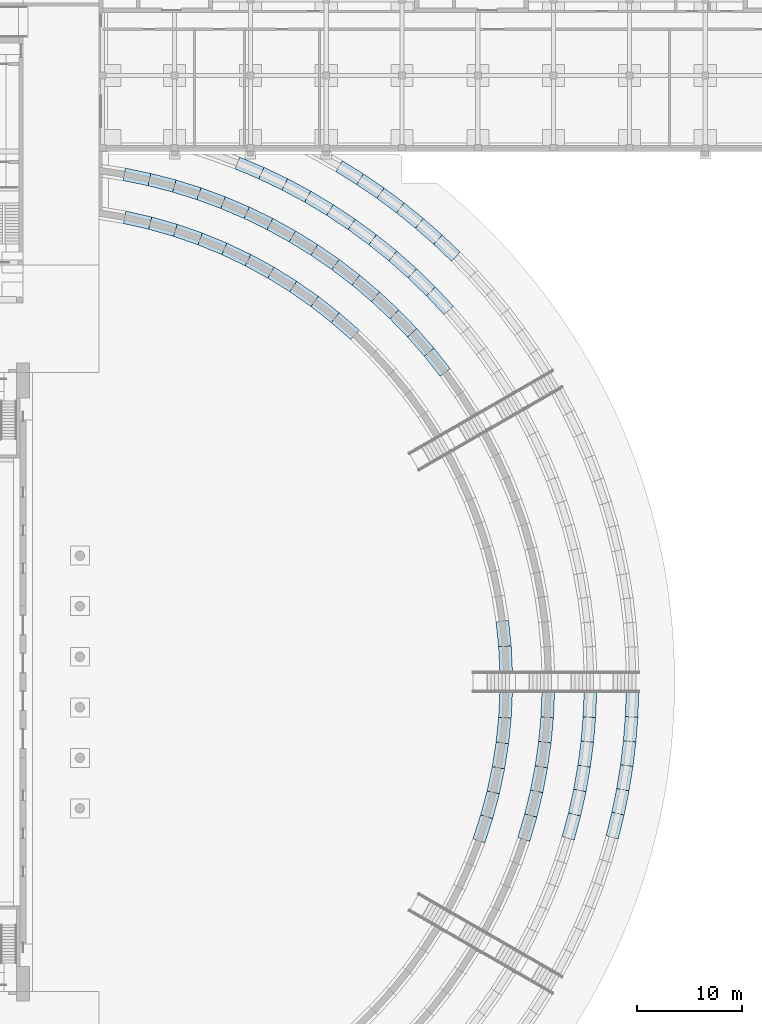
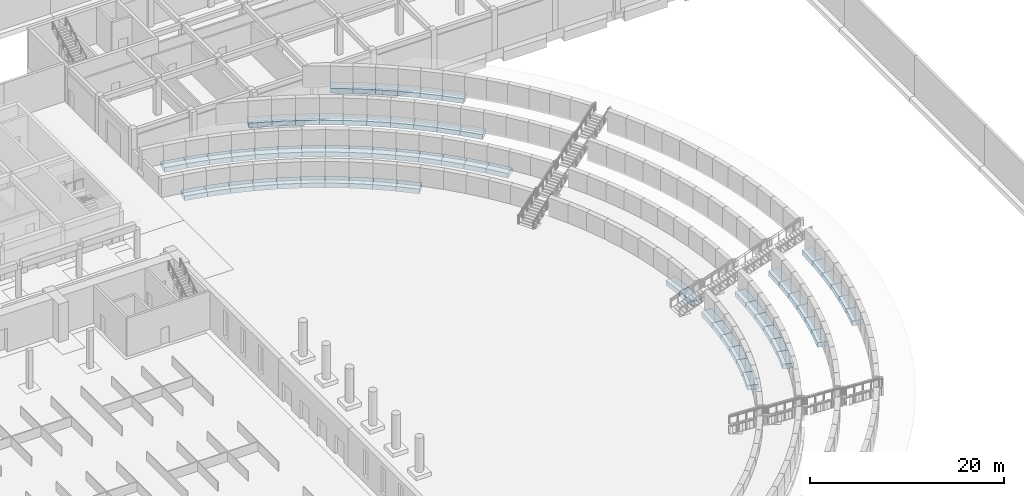
# One storey, part 9 of 73: 67 footings.
"""IFC4 building model written with IfcOpenShell, lengths in metres."""

from ifc_helpers import new_model, si_unit, direction, frame, origin, place, context, subcontext, project, spatial, polyline, outline, extrude, material, type_object, element, save


model = new_model("IFC4")

# Units and contexts
model_context = context("Model", 3, precision=1e-05, world=origin(), true_north=direction((0.0, 1.0)))
body_context = subcontext(model_context, "Body", "Model", "MODEL_VIEW")
ifc_project = project(units=[si_unit("LENGTHUNIT", "METRE"), si_unit("AREAUNIT", "SQUARE_METRE"), si_unit("VOLUMEUNIT", "CUBIC_METRE"), si_unit("PLANEANGLEUNIT", "RADIAN"), si_unit("MASSUNIT", "GRAM", prefix="KILO")], contexts=[model_context])

# Site, building, storey
site_placement = place(None, origin())
site = spatial("IfcSite", under=ifc_project, at=site_placement, CompositionType="ELEMENT")
building_placement = place(site_placement, origin())
building = spatial("IfcBuilding", under=site, at=building_placement, Name="Alderwick Market Hall", CompositionType="ELEMENT")
storey_placement = place(building_placement, origin())
storey = spatial("IfcBuildingStorey", under=building, at=storey_placement, Name="LG", CompositionType="ELEMENT", Elevation=0.0)

# Footings
ifc_material = material(Name="Concrete 4000 psi (f'c 28 MPa)", Category="concrete")
footing_type = type_object("IfcFootingType", Name="S Strip Footing 900", PredefinedType="STRIP_FOOTING", material=ifc_material)
footing_1_placement = place(storey_placement, frame((0.0, 0.0, -0.800048828125)))
element("IfcFooting", 1, at=footing_1_placement, inside=storey, type_object=footing_type, Name="S.ffoot.W1.20", PredefinedType="STRIP_FOOTING", context=body_context, shape_type="SweptSolid", body=[
    extrude(outline(polyline([(195.064208984375, 63.921630859375), (195.81640625, 66.229736328125), (194.666015625, 66.571044921875), (193.93359375, 64.32373046875), (195.064208984375, 63.921630859375)])), origin(), (0.0, 0.0, 1.0), 0.60009765625),
])
footing_2_placement = place(storey_placement, frame((0.0, 0.0, -0.800048828125)))
element("IfcFooting", 2, at=footing_2_placement, inside=storey, type_object=footing_type, Name="S.ffoot.W1.21", PredefinedType="STRIP_FOOTING", context=body_context, shape_type="SweptSolid", body=[
    extrude(outline(polyline([(195.81640625, 66.229736328125), (196.444580078125, 68.574462890625), (195.27783203125, 68.85400390625), (194.666015625, 66.571044921875), (195.81640625, 66.229736328125)])), origin(), (0.0, 0.0, 1.0), 0.60009765625),
])
footing_3_placement = place(storey_placement, frame((0.0, 0.0, -0.800048828125)))
element("IfcFooting", 3, at=footing_3_placement, inside=storey, type_object=footing_type, Name="S.ffoot.W1.22", PredefinedType="STRIP_FOOTING", context=body_context, shape_type="SweptSolid", body=[
    extrude(outline(polyline([(196.444580078125, 68.574462890625), (196.947265625, 70.94921875), (195.76708984375, 71.166259765625), (195.27783203125, 68.85400390625), (196.444580078125, 68.574462890625)])), origin(), (0.0, 0.0, 1.0), 0.60009765625),
])
footing_4_placement = place(storey_placement, frame((0.0, 0.0, -0.800048828125)))
element("IfcFooting", 4, at=footing_4_placement, inside=storey, type_object=footing_type, Name="S.ffoot.W1.23", PredefinedType="STRIP_FOOTING", context=body_context, shape_type="SweptSolid", body=[
    extrude(outline(polyline([(196.947265625, 70.94921875), (197.322998046875, 73.347412109375), (196.1328125, 73.50146484375), (195.76708984375, 71.166259765625), (196.947265625, 70.94921875)])), origin(), (0.0, 0.0, 1.0), 0.60009765625),
])
footing_5_placement = place(storey_placement, frame((0.0, 0.0, -0.800048828125)))
element("IfcFooting", 5, at=footing_5_placement, inside=storey, type_object=footing_type, Name="S.ffoot.W1.24", PredefinedType="STRIP_FOOTING", context=body_context, shape_type="SweptSolid", body=[
    extrude(outline(polyline([(197.322998046875, 73.347412109375), (197.5703125, 75.76220703125), (196.37353515625, 75.8525390625), (196.1328125, 73.50146484375), (197.322998046875, 73.347412109375)])), origin(), (0.0, 0.0, 1.0), 0.60009765625),
])
footing_6_placement = place(storey_placement, frame((0.0, 0.0, -0.800048828125)))
element("IfcFooting", 6, at=footing_6_placement, inside=storey, type_object=footing_type, Name="S.ffoot.W1.25", PredefinedType="STRIP_FOOTING", context=body_context, shape_type="SweptSolid", body=[
    extrude(outline(polyline([(197.5703125, 75.76220703125), (197.688720703125, 78.186767578125), (196.489013671875, 78.21337890625), (196.37353515625, 75.8525390625), (197.5703125, 75.76220703125)])), origin(), (0.0, 0.0, 1.0), 0.60009765625),
])
footing_7_placement = place(storey_placement, frame((0.0, 0.0, -0.800048828125)))
element("IfcFooting", 7, at=footing_7_placement, inside=storey, type_object=footing_type, Name="S.ffoot.W1.26", PredefinedType="STRIP_FOOTING", context=body_context, shape_type="SweptSolid", body=[
    extrude(outline(polyline([(197.688720703125, 80.21337890625), (197.5703125, 82.6376953125), (196.37353515625, 82.54736328125), (196.489013671875, 80.186767578125), (197.688720703125, 80.21337890625)])), origin(), (0.0, 0.0, 1.0), 0.60009765625),
])
footing_8_placement = place(storey_placement, frame((0.0, 0.0, -0.800048828125)))
element("IfcFooting", 8, at=footing_8_placement, inside=storey, type_object=footing_type, Name="S.ffoot.W1.27", PredefinedType="STRIP_FOOTING", context=body_context, shape_type="SweptSolid", body=[
    extrude(outline(polyline([(197.5703125, 82.6376953125), (197.322998046875, 85.052490234375), (196.1328125, 84.898681640625), (196.37353515625, 82.54736328125), (197.5703125, 82.6376953125)])), origin(), (0.0, 0.0, 1.0), 0.60009765625),
])
footing_9_placement = place(storey_placement, frame((0.0, 0.0, -0.800048828125)))
element("IfcFooting", 9, at=footing_9_placement, inside=storey, type_object=footing_type, Name="S.ffoot.W1.40", PredefinedType="STRIP_FOOTING", context=body_context, shape_type="SweptSolid", body=[
    extrude(outline(polyline([(183.134765625, 112.609619140625), (181.2412109375, 114.2734375), (180.474609375, 113.350341796875), (182.318115234375, 111.73046875), (183.134765625, 112.609619140625)])), origin(), (0.0, 0.0, 1.0), 0.60009765625),
])
footing_10_placement = place(storey_placement, frame((0.0, 0.0, -0.800048828125)))
element("IfcFooting", 10, at=footing_10_placement, inside=storey, type_object=footing_type, Name="S.ffoot.W1.41", PredefinedType="STRIP_FOOTING", context=body_context, shape_type="SweptSolid", body=[
    extrude(outline(polyline([(181.2412109375, 114.2734375), (179.2587890625, 115.830078125), (178.544189453125, 114.865966796875), (180.474609375, 113.350341796875), (181.2412109375, 114.2734375)])), origin(), (0.0, 0.0, 1.0), 0.60009765625),
])
footing_11_placement = place(storey_placement, frame((0.0, 0.0, -0.800048828125)))
element("IfcFooting", 11, at=footing_11_placement, inside=storey, type_object=footing_type, Name="S.ffoot.W1.42", PredefinedType="STRIP_FOOTING", context=body_context, shape_type="SweptSolid", body=[
    extrude(outline(polyline([(179.2587890625, 115.830078125), (177.193603515625, 117.274658203125), (176.533203125, 116.272705078125), (178.544189453125, 114.865966796875), (179.2587890625, 115.830078125)])), origin(), (0.0, 0.0, 1.0), 0.60009765625),
])
footing_12_placement = place(storey_placement, frame((0.0, 0.0, -0.800048828125)))
element("IfcFooting", 12, at=footing_12_placement, inside=storey, type_object=footing_type, Name="S.ffoot.W1.43", PredefinedType="STRIP_FOOTING", context=body_context, shape_type="SweptSolid", body=[
    extrude(outline(polyline([(177.193603515625, 117.274658203125), (175.05126953125, 118.60302734375), (174.447509765625, 117.566162109375), (176.533203125, 116.272705078125), (177.193603515625, 117.274658203125)])), origin(), (0.0, 0.0, 1.0), 0.60009765625),
])
footing_13_placement = place(storey_placement, frame((0.0, 0.0, -0.800048828125)))
element("IfcFooting", 13, at=footing_13_placement, inside=storey, type_object=footing_type, Name="S.ffoot.W1.44", PredefinedType="STRIP_FOOTING", context=body_context, shape_type="SweptSolid", body=[
    extrude(outline(polyline([(175.05126953125, 118.60302734375), (172.839111328125, 119.810791015625), (172.29345703125, 118.7421875), (174.447509765625, 117.566162109375), (175.05126953125, 118.60302734375)])), origin(), (0.0, 0.0, 1.0), 0.60009765625),
])
footing_14_placement = place(storey_placement, frame((0.0, 0.0, -0.800048828125)))
element("IfcFooting", 14, at=footing_14_placement, inside=storey, type_object=footing_type, Name="S.ffoot.W1.45", PredefinedType="STRIP_FOOTING", context=body_context, shape_type="SweptSolid", body=[
    extrude(outline(polyline([(172.839111328125, 119.810791015625), (170.5634765625, 120.894775390625), (170.07763671875, 119.797607421875), (172.29345703125, 118.7421875), (172.839111328125, 119.810791015625)])), origin(), (0.0, 0.0, 1.0), 0.60009765625),
])
footing_15_placement = place(storey_placement, frame((0.0, 0.0, -0.800048828125)))
element("IfcFooting", 15, at=footing_15_placement, inside=storey, type_object=footing_type, Name="S.ffoot.W1.46", PredefinedType="STRIP_FOOTING", context=body_context, shape_type="SweptSolid", body=[
    extrude(outline(polyline([(170.5634765625, 120.894775390625), (168.2314453125, 121.851318359375), (167.806884765625, 120.72900390625), (170.07763671875, 119.797607421875), (170.5634765625, 120.894775390625)])), origin(), (0.0, 0.0, 1.0), 0.60009765625),
])
footing_16_placement = place(storey_placement, frame((0.0, 0.0, -0.800048828125)))
element("IfcFooting", 16, at=footing_16_placement, inside=storey, type_object=footing_type, Name="S.ffoot.W1.47", PredefinedType="STRIP_FOOTING", context=body_context, shape_type="SweptSolid", body=[
    extrude(outline(polyline([(168.2314453125, 121.851318359375), (165.85009765625, 122.677490234375), (165.48828125, 121.533203125), (167.806884765625, 120.72900390625), (168.2314453125, 121.851318359375)])), origin(), (0.0, 0.0, 1.0), 0.60009765625),
])
footing_17_placement = place(storey_placement, frame((0.0, 0.0, -0.800048828125)))
element("IfcFooting", 17, at=footing_17_placement, inside=storey, type_object=footing_type, Name="S.ffoot.W1.48", PredefinedType="STRIP_FOOTING", context=body_context, shape_type="SweptSolid", body=[
    extrude(outline(polyline([(165.85009765625, 122.677490234375), (163.427001953125, 123.370849609375), (163.12890625, 122.20849609375), (165.48828125, 121.533203125), (165.85009765625, 122.677490234375)])), origin(), (0.0, 0.0, 1.0), 0.60009765625),
])
footing_18_placement = place(storey_placement, frame((0.0, 0.0, -0.800048828125)))
element("IfcFooting", 18, at=footing_18_placement, inside=storey, type_object=footing_type, Name="S.ffoot.W1.49", PredefinedType="STRIP_FOOTING", context=body_context, shape_type="SweptSolid", body=[
    extrude(outline(polyline([(163.427001953125, 123.370849609375), (160.968994140625, 123.92919921875), (160.735595703125, 122.752197265625), (163.12890625, 122.20849609375), (163.427001953125, 123.370849609375)])), origin(), (0.0, 0.0, 1.0), 0.60009765625),
])
footing_19_placement = place(storey_placement, frame((0.0, 0.0, 0.300048828125)))
element("IfcFooting", 19, at=footing_19_placement, inside=storey, type_object=footing_type, Name="S.ffoot.W2.23", PredefinedType="STRIP_FOOTING", context=body_context, shape_type="SweptSolid", body=[
    extrude(outline(polyline([(199.334716796875, 64.0654296875), (200.010009765625, 66.362548828125), (198.850830078125, 66.673095703125), (198.19189453125, 64.431640625), (199.334716796875, 64.0654296875)])), origin(), (0.0, 0.0, 1.0), 0.599853515625),
])
footing_20_placement = place(storey_placement, frame((0.0, 0.0, 0.300048828125)))
element("IfcFooting", 20, at=footing_20_placement, inside=storey, type_object=footing_type, Name="S.ffoot.W2.24", PredefinedType="STRIP_FOOTING", context=body_context, shape_type="SweptSolid", body=[
    extrude(outline(polyline([(200.010009765625, 66.362548828125), (200.573486328125, 68.689697265625), (199.40087890625, 68.94384765625), (198.850830078125, 66.673095703125), (200.010009765625, 66.362548828125)])), origin(), (0.0, 0.0, 1.0), 0.599853515625),
])
footing_21_placement = place(storey_placement, frame((0.0, 0.0, 0.300048828125)))
element("IfcFooting", 21, at=footing_21_placement, inside=storey, type_object=footing_type, Name="S.ffoot.W2.25", PredefinedType="STRIP_FOOTING", context=body_context, shape_type="SweptSolid", body=[
    extrude(outline(polyline([(200.573486328125, 68.689697265625), (201.0244140625, 71.041259765625), (199.8408203125, 71.238525390625), (199.40087890625, 68.94384765625), (200.573486328125, 68.689697265625)])), origin(), (0.0, 0.0, 1.0), 0.599853515625),
])
footing_22_placement = place(storey_placement, frame((0.0, 0.0, 0.300048828125)))
element("IfcFooting", 22, at=footing_22_placement, inside=storey, type_object=footing_type, Name="S.ffoot.W2.26", PredefinedType="STRIP_FOOTING", context=body_context, shape_type="SweptSolid", body=[
    extrude(outline(polyline([(201.0244140625, 71.041259765625), (201.361083984375, 73.41162109375), (200.169189453125, 73.5517578125), (199.8408203125, 71.238525390625), (201.0244140625, 71.041259765625)])), origin(), (0.0, 0.0, 1.0), 0.599853515625),
])
footing_23_placement = place(storey_placement, frame((0.0, 0.0, 0.300048828125)))
element("IfcFooting", 23, at=footing_23_placement, inside=storey, type_object=footing_type, Name="S.ffoot.W2.27", PredefinedType="STRIP_FOOTING", context=body_context, shape_type="SweptSolid", body=[
    extrude(outline(polyline([(201.361083984375, 73.41162109375), (201.5830078125, 75.7958984375), (200.385986328125, 75.878173828125), (200.169189453125, 73.5517578125), (201.361083984375, 73.41162109375)])), origin(), (0.0, 0.0, 1.0), 0.599853515625),
])
footing_24_placement = place(storey_placement, frame((0.0, 0.0, 0.300048828125)))
element("IfcFooting", 24, at=footing_24_placement, inside=storey, type_object=footing_type, Name="S.ffoot.W2.28", PredefinedType="STRIP_FOOTING", context=body_context, shape_type="SweptSolid", body=[
    extrude(outline(polyline([(201.5830078125, 75.7958984375), (201.689697265625, 78.187744140625), (200.489990234375, 78.212158203125), (200.385986328125, 75.878173828125), (201.5830078125, 75.7958984375)])), origin(), (0.0, 0.0, 1.0), 0.599853515625),
])
footing_25_placement = place(storey_placement, frame((0.0, 0.0, 0.300048828125)))
element("IfcFooting", 25, at=footing_25_placement, inside=storey, type_object=footing_type, Name="S.ffoot.W2.41", PredefinedType="STRIP_FOOTING", context=body_context, shape_type="SweptSolid", body=[
    extrude(outline(polyline([(191.77197265625, 108.970703125), (190.23828125, 110.91162109375), (189.315673828125, 110.14453125), (190.812255859375, 108.25048828125), (191.77197265625, 108.970703125)])), origin(), (0.0, 0.0, 1.0), 0.599853515625),
])
footing_26_placement = place(storey_placement, frame((0.0, 0.0, 0.300048828125)))
element("IfcFooting", 26, at=footing_26_placement, inside=storey, type_object=footing_type, Name="S.ffoot.W2.42", PredefinedType="STRIP_FOOTING", context=body_context, shape_type="SweptSolid", body=[
    extrude(outline(polyline([(190.23828125, 110.91162109375), (188.609619140625, 112.77392578125), (187.726318359375, 111.961669921875), (189.315673828125, 110.14453125), (190.23828125, 110.91162109375)])), origin(), (0.0, 0.0, 1.0), 0.599853515625),
])
footing_27_placement = place(storey_placement, frame((0.0, 0.0, 0.300048828125)))
element("IfcFooting", 27, at=footing_27_placement, inside=storey, type_object=footing_type, Name="S.ffoot.W2.43", PredefinedType="STRIP_FOOTING", context=body_context, shape_type="SweptSolid", body=[
    extrude(outline(polyline([(188.609619140625, 112.77392578125), (186.89013671875, 114.552490234375), (186.048583984375, 113.697265625), (187.726318359375, 111.961669921875), (188.609619140625, 112.77392578125)])), origin(), (0.0, 0.0, 1.0), 0.599853515625),
])
footing_28_placement = place(storey_placement, frame((0.0, 0.0, 0.300048828125)))
element("IfcFooting", 28, at=footing_28_placement, inside=storey, type_object=footing_type, Name="S.ffoot.W2.44", PredefinedType="STRIP_FOOTING", context=body_context, shape_type="SweptSolid", body=[
    extrude(outline(polyline([(186.89013671875, 114.552490234375), (185.084228515625, 116.2431640625), (184.286376953125, 115.346923828125), (186.048583984375, 113.697265625), (186.89013671875, 114.552490234375)])), origin(), (0.0, 0.0, 1.0), 0.599853515625),
])
footing_29_placement = place(storey_placement, frame((0.0, 0.0, 0.300048828125)))
element("IfcFooting", 29, at=footing_29_placement, inside=storey, type_object=footing_type, Name="S.ffoot.W2.45", PredefinedType="STRIP_FOOTING", context=body_context, shape_type="SweptSolid", body=[
    extrude(outline(polyline([(185.084228515625, 116.2431640625), (183.1962890625, 117.841796875), (182.44384765625, 116.90673828125), (184.286376953125, 115.346923828125), (185.084228515625, 116.2431640625)])), origin(), (0.0, 0.0, 1.0), 0.599853515625),
])
footing_30_placement = place(storey_placement, frame((0.0, 0.0, 0.300048828125)))
element("IfcFooting", 30, at=footing_30_placement, inside=storey, type_object=footing_type, Name="S.ffoot.W2.46", PredefinedType="STRIP_FOOTING", context=body_context, shape_type="SweptSolid", body=[
    extrude(outline(polyline([(183.1962890625, 117.841796875), (181.23095703125, 119.343994140625), (180.526123046875, 118.372802734375), (182.44384765625, 116.90673828125), (183.1962890625, 117.841796875)])), origin(), (0.0, 0.0, 1.0), 0.599853515625),
])
footing_31_placement = place(storey_placement, frame((0.0, 0.0, 0.300048828125)))
element("IfcFooting", 31, at=footing_31_placement, inside=storey, type_object=footing_type, Name="S.ffoot.W2.47", PredefinedType="STRIP_FOOTING", context=body_context, shape_type="SweptSolid", body=[
    extrude(outline(polyline([(181.23095703125, 119.343994140625), (179.193115234375, 120.74658203125), (178.53759765625, 119.741455078125), (180.526123046875, 118.372802734375), (181.23095703125, 119.343994140625)])), origin(), (0.0, 0.0, 1.0), 0.599853515625),
])
footing_32_placement = place(storey_placement, frame((0.0, 0.0, 0.300048828125)))
element("IfcFooting", 32, at=footing_32_placement, inside=storey, type_object=footing_type, Name="S.ffoot.W2.48", PredefinedType="STRIP_FOOTING", context=body_context, shape_type="SweptSolid", body=[
    extrude(outline(polyline([(179.193115234375, 120.74658203125), (177.087890625, 122.0458984375), (176.4833984375, 121.00927734375), (178.53759765625, 119.741455078125), (179.193115234375, 120.74658203125)])), origin(), (0.0, 0.0, 1.0), 0.599853515625),
])
footing_33_placement = place(storey_placement, frame((0.0, 0.0, 0.300048828125)))
element("IfcFooting", 33, at=footing_33_placement, inside=storey, type_object=footing_type, Name="S.ffoot.W2.49", PredefinedType="STRIP_FOOTING", context=body_context, shape_type="SweptSolid", body=[
    extrude(outline(polyline([(177.087890625, 122.0458984375), (174.92041015625, 123.238525390625), (174.368408203125, 122.173095703125), (176.4833984375, 121.00927734375), (177.087890625, 122.0458984375)])), origin(), (0.0, 0.0, 1.0), 0.599853515625),
])
footing_34_placement = place(storey_placement, frame((0.0, 0.0, 0.300048828125)))
element("IfcFooting", 34, at=footing_34_placement, inside=storey, type_object=footing_type, Name="S.ffoot.W2.50", PredefinedType="STRIP_FOOTING", context=body_context, shape_type="SweptSolid", body=[
    extrude(outline(polyline([(174.92041015625, 123.238525390625), (172.6962890625, 124.321533203125), (172.197998046875, 123.22998046875), (174.368408203125, 122.173095703125), (174.92041015625, 123.238525390625)])), origin(), (0.0, 0.0, 1.0), 0.599853515625),
])
footing_35_placement = place(storey_placement, frame((0.0, 0.0, 0.300048828125)))
element("IfcFooting", 35, at=footing_35_placement, inside=storey, type_object=footing_type, Name="S.ffoot.W2.51", PredefinedType="STRIP_FOOTING", context=body_context, shape_type="SweptSolid", body=[
    extrude(outline(polyline([(172.6962890625, 124.321533203125), (170.4208984375, 125.29248046875), (169.9775390625, 124.17724609375), (172.197998046875, 123.22998046875), (172.6962890625, 124.321533203125)])), origin(), (0.0, 0.0, 1.0), 0.599853515625),
])
footing_36_placement = place(storey_placement, frame((0.0, 0.0, 0.300048828125)))
element("IfcFooting", 36, at=footing_36_placement, inside=storey, type_object=footing_type, Name="S.ffoot.W2.52", PredefinedType="STRIP_FOOTING", context=body_context, shape_type="SweptSolid", body=[
    extrude(outline(polyline([(170.4208984375, 125.29248046875), (168.099853515625, 126.1484375), (167.712890625, 125.0126953125), (169.9775390625, 124.17724609375), (170.4208984375, 125.29248046875)])), origin(), (0.0, 0.0, 1.0), 0.599853515625),
])
footing_37_placement = place(storey_placement, frame((0.0, 0.0, 0.300048828125)))
element("IfcFooting", 37, at=footing_37_placement, inside=storey, type_object=footing_type, Name="S.ffoot.W2.53", PredefinedType="STRIP_FOOTING", context=body_context, shape_type="SweptSolid", body=[
    extrude(outline(polyline([(168.099853515625, 126.1484375), (165.739013671875, 126.887939453125), (165.4091796875, 125.734130859375), (167.712890625, 125.0126953125), (168.099853515625, 126.1484375)])), origin(), (0.0, 0.0, 1.0), 0.599853515625),
])
footing_38_placement = place(storey_placement, frame((0.0, 0.0, 0.300048828125)))
element("IfcFooting", 38, at=footing_38_placement, inside=storey, type_object=footing_type, Name="S.ffoot.W2.54", PredefinedType="STRIP_FOOTING", context=body_context, shape_type="SweptSolid", body=[
    extrude(outline(polyline([(165.739013671875, 126.887939453125), (163.344482421875, 127.508544921875), (163.072509765625, 126.33984375), (165.4091796875, 125.734130859375), (165.739013671875, 126.887939453125)])), origin(), (0.0, 0.0, 1.0), 0.599853515625),
])
footing_39_placement = place(storey_placement, frame((0.0, 0.0, 0.300048828125)))
element("IfcFooting", 39, at=footing_39_placement, inside=storey, type_object=footing_type, Name="S.ffoot.W2.55", PredefinedType="STRIP_FOOTING", context=body_context, shape_type="SweptSolid", body=[
    extrude(outline(polyline([(163.344482421875, 127.508544921875), (160.921875, 128.00927734375), (160.708251953125, 126.828369140625), (163.072509765625, 126.33984375), (163.344482421875, 127.508544921875)])), origin(), (0.0, 0.0, 1.0), 0.599853515625),
])
footing_40_placement = place(storey_placement, frame((0.0, 0.0, 1.5)))
element("IfcFooting", 40, at=footing_40_placement, inside=storey, type_object=footing_type, Name="S.ffoot.W3.21", PredefinedType="STRIP_FOOTING", context=body_context, shape_type="SweptSolid", body=[
    extrude(outline(polyline([(203.5546875, 64.1875), (204.167236328125, 66.47412109375), (203.001708984375, 66.7587890625), (202.402587890625, 64.5234375), (203.5546875, 64.1875)])), origin(), (0.0, 0.0, 1.0), 0.60009765625),
])
footing_41_placement = place(storey_placement, frame((0.0, 0.0, 1.5)))
element("IfcFooting", 41, at=footing_41_placement, inside=storey, type_object=footing_type, Name="S.ffoot.W3.22", PredefinedType="STRIP_FOOTING", context=body_context, shape_type="SweptSolid", body=[
    extrude(outline(polyline([(204.167236328125, 66.47412109375), (204.678466796875, 68.785400390625), (203.501220703125, 69.0185546875), (203.001708984375, 66.7587890625), (204.167236328125, 66.47412109375)])), origin(), (0.0, 0.0, 1.0), 0.60009765625),
])
footing_42_placement = place(storey_placement, frame((0.0, 0.0, 1.5)))
element("IfcFooting", 42, at=footing_42_placement, inside=storey, type_object=footing_type, Name="S.ffoot.W3.23", PredefinedType="STRIP_FOOTING", context=body_context, shape_type="SweptSolid", body=[
    extrude(outline(polyline([(204.678466796875, 68.785400390625), (205.087158203125, 71.1171875), (203.90087890625, 71.298095703125), (203.501220703125, 69.0185546875), (204.678466796875, 68.785400390625)])), origin(), (0.0, 0.0, 1.0), 0.60009765625),
])
footing_43_placement = place(storey_placement, frame((0.0, 0.0, 1.5)))
element("IfcFooting", 43, at=footing_43_placement, inside=storey, type_object=footing_type, Name="S.ffoot.W3.24", PredefinedType="STRIP_FOOTING", context=body_context, shape_type="SweptSolid", body=[
    extrude(outline(polyline([(205.087158203125, 71.1171875), (205.392333984375, 73.464599609375), (204.19921875, 73.593017578125), (203.90087890625, 71.298095703125), (205.087158203125, 71.1171875)])), origin(), (0.0, 0.0, 1.0), 0.60009765625),
])
footing_44_placement = place(storey_placement, frame((0.0, 0.0, 1.5)))
element("IfcFooting", 44, at=footing_44_placement, inside=storey, type_object=footing_type, Name="S.ffoot.W3.25", PredefinedType="STRIP_FOOTING", context=body_context, shape_type="SweptSolid", body=[
    extrude(outline(polyline([(205.392333984375, 73.464599609375), (205.593505859375, 75.823486328125), (204.39599609375, 75.89892578125), (204.19921875, 73.593017578125), (205.392333984375, 73.464599609375)])), origin(), (0.0, 0.0, 1.0), 0.60009765625),
])
footing_45_placement = place(storey_placement, frame((0.0, 0.0, 1.5)))
element("IfcFooting", 45, at=footing_45_placement, inside=storey, type_object=footing_type, Name="S.ffoot.W3.26", PredefinedType="STRIP_FOOTING", context=body_context, shape_type="SweptSolid", body=[
    extrude(outline(polyline([(205.593505859375, 75.823486328125), (205.6904296875, 78.188720703125), (204.49072265625, 78.211181640625), (204.39599609375, 75.89892578125), (205.593505859375, 75.823486328125)])), origin(), (0.0, 0.0, 1.0), 0.60009765625),
])
footing_46_placement = place(storey_placement, frame((0.0, 0.0, 1.5)))
element("IfcFooting", 46, at=footing_46_placement, inside=storey, type_object=footing_type, Name="S.ffoot.W3.42", PredefinedType="STRIP_FOOTING", context=body_context, shape_type="SweptSolid", body=[
    extrude(outline(polyline([(192.082763671875, 114.89794921875), (190.376708984375, 116.721435546875), (189.519775390625, 115.88134765625), (191.1875, 114.0986328125), (192.082763671875, 114.89794921875)])), origin(), (0.0, 0.0, 1.0), 0.60009765625),
])
footing_47_placement = place(storey_placement, frame((0.0, 0.0, 1.5)))
element("IfcFooting", 47, at=footing_47_placement, inside=storey, type_object=footing_type, Name="S.ffoot.W3.43", PredefinedType="STRIP_FOOTING", context=body_context, shape_type="SweptSolid", body=[
    extrude(outline(polyline([(190.376708984375, 116.721435546875), (188.587646484375, 118.46337890625), (187.770751953125, 117.58447265625), (189.519775390625, 115.88134765625), (190.376708984375, 116.721435546875)])), origin(), (0.0, 0.0, 1.0), 0.60009765625),
])
footing_48_placement = place(storey_placement, frame((0.0, 0.0, 1.5)))
element("IfcFooting", 48, at=footing_48_placement, inside=storey, type_object=footing_type, Name="S.ffoot.W3.44", PredefinedType="STRIP_FOOTING", context=body_context, shape_type="SweptSolid", body=[
    extrude(outline(polyline([(188.587646484375, 118.46337890625), (186.71923828125, 120.120361328125), (185.944091796875, 119.2041015625), (187.770751953125, 117.58447265625), (188.587646484375, 118.46337890625)])), origin(), (0.0, 0.0, 1.0), 0.60009765625),
])
footing_49_placement = place(storey_placement, frame((0.0, 0.0, 1.5)))
element("IfcFooting", 49, at=footing_49_placement, inside=storey, type_object=footing_type, Name="S.ffoot.W3.45", PredefinedType="STRIP_FOOTING", context=body_context, shape_type="SweptSolid", body=[
    extrude(outline(polyline([(186.71923828125, 120.120361328125), (184.775634765625, 121.688232421875), (184.044189453125, 120.737060546875), (185.944091796875, 119.2041015625), (186.71923828125, 120.120361328125)])), origin(), (0.0, 0.0, 1.0), 0.60009765625),
])
footing_50_placement = place(storey_placement, frame((0.0, 0.0, 1.5)))
element("IfcFooting", 50, at=footing_50_placement, inside=storey, type_object=footing_type, Name="S.ffoot.W3.46", PredefinedType="STRIP_FOOTING", context=body_context, shape_type="SweptSolid", body=[
    extrude(outline(polyline([(184.775634765625, 121.688232421875), (182.76123046875, 123.1640625), (182.074951171875, 122.1796875), (184.044189453125, 120.737060546875), (184.775634765625, 121.688232421875)])), origin(), (0.0, 0.0, 1.0), 0.60009765625),
])
footing_51_placement = place(storey_placement, frame((0.0, 0.0, 1.5)))
element("IfcFooting", 51, at=footing_51_placement, inside=storey, type_object=footing_type, Name="S.ffoot.W3.47", PredefinedType="STRIP_FOOTING", context=body_context, shape_type="SweptSolid", body=[
    extrude(outline(polyline([(182.76123046875, 123.1640625), (180.680419921875, 124.54443359375), (180.04052734375, 123.529296875), (182.074951171875, 122.1796875), (182.76123046875, 123.1640625)])), origin(), (0.0, 0.0, 1.0), 0.60009765625),
])
footing_52_placement = place(storey_placement, frame((0.0, 0.0, 1.5)))
element("IfcFooting", 52, at=footing_52_placement, inside=storey, type_object=footing_type, Name="S.ffoot.W3.48", PredefinedType="STRIP_FOOTING", context=body_context, shape_type="SweptSolid", body=[
    extrude(outline(polyline([(180.680419921875, 124.54443359375), (178.537353515625, 125.826416015625), (177.945556640625, 124.78271484375), (180.04052734375, 123.529296875), (180.680419921875, 124.54443359375)])), origin(), (0.0, 0.0, 1.0), 0.60009765625),
])
footing_53_placement = place(storey_placement, frame((0.0, 0.0, 1.5)))
element("IfcFooting", 53, at=footing_53_placement, inside=storey, type_object=footing_type, Name="S.ffoot.W3.49", PredefinedType="STRIP_FOOTING", context=body_context, shape_type="SweptSolid", body=[
    extrude(outline(polyline([(178.537353515625, 125.826416015625), (176.3369140625, 127.007080078125), (175.79443359375, 125.93701171875), (177.945556640625, 124.78271484375), (178.537353515625, 125.826416015625)])), origin(), (0.0, 0.0, 1.0), 0.60009765625),
])
footing_54_placement = place(storey_placement, frame((0.0, 0.0, 1.5)))
element("IfcFooting", 54, at=footing_54_placement, inside=storey, type_object=footing_type, Name="S.ffoot.W3.50", PredefinedType="STRIP_FOOTING", context=body_context, shape_type="SweptSolid", body=[
    extrude(outline(polyline([(176.3369140625, 127.007080078125), (174.083984375, 128.084228515625), (173.591796875, 126.98974609375), (175.79443359375, 125.93701171875), (176.3369140625, 127.007080078125)])), origin(), (0.0, 0.0, 1.0), 0.60009765625),
])
footing_55_placement = place(storey_placement, frame((0.0, 0.0, 1.5)))
element("IfcFooting", 55, at=footing_55_placement, inside=storey, type_object=footing_type, Name="S.ffoot.W3.51", PredefinedType="STRIP_FOOTING", context=body_context, shape_type="SweptSolid", body=[
    extrude(outline(polyline([(174.083984375, 128.084228515625), (171.783203125, 129.05517578125), (171.342529296875, 127.93896484375), (173.591796875, 126.98974609375), (174.083984375, 128.084228515625)])), origin(), (0.0, 0.0, 1.0), 0.60009765625),
])
footing_56_placement = place(storey_placement, frame((0.0, 0.0, 2.699951171875)))
element("IfcFooting", 56, at=footing_56_placement, inside=storey, type_object=footing_type, Name="S.ffoot.W4.20", PredefinedType="STRIP_FOOTING", context=body_context, shape_type="SweptSolid", body=[
    extrude(outline(polyline([(207.7373046875, 64.2919921875), (208.298095703125, 66.568603515625), (207.127197265625, 66.831787109375), (206.578125, 64.6025390625), (207.7373046875, 64.2919921875)])), origin(), (0.0, 0.0, 1.0), 0.60009765625),
])
footing_57_placement = place(storey_placement, frame((0.0, 0.0, 2.699951171875)))
element("IfcFooting", 57, at=footing_57_placement, inside=storey, type_object=footing_type, Name="S.ffoot.W4.21", PredefinedType="STRIP_FOOTING", context=body_context, shape_type="SweptSolid", body=[
    extrude(outline(polyline([(208.298095703125, 66.568603515625), (208.765380859375, 68.8662109375), (207.5849609375, 69.08154296875), (207.127197265625, 66.831787109375), (208.298095703125, 66.568603515625)])), origin(), (0.0, 0.0, 1.0), 0.60009765625),
])
footing_58_placement = place(storey_placement, frame((0.0, 0.0, 2.699951171875)))
element("IfcFooting", 58, at=footing_58_placement, inside=storey, type_object=footing_type, Name="S.ffoot.W4.22", PredefinedType="STRIP_FOOTING", context=body_context, shape_type="SweptSolid", body=[
    extrude(outline(polyline([(208.765380859375, 68.8662109375), (209.13916015625, 71.180908203125), (207.95068359375, 71.34814453125), (207.5849609375, 69.08154296875), (208.765380859375, 68.8662109375)])), origin(), (0.0, 0.0, 1.0), 0.60009765625),
])
footing_59_placement = place(storey_placement, frame((0.0, 0.0, 2.699951171875)))
element("IfcFooting", 59, at=footing_59_placement, inside=storey, type_object=footing_type, Name="S.ffoot.W4.23", PredefinedType="STRIP_FOOTING", context=body_context, shape_type="SweptSolid", body=[
    extrude(outline(polyline([(209.13916015625, 71.180908203125), (209.418212890625, 73.509033203125), (208.22412109375, 73.627685546875), (207.95068359375, 71.34814453125), (209.13916015625, 71.180908203125)])), origin(), (0.0, 0.0, 1.0), 0.60009765625),
])
footing_60_placement = place(storey_placement, frame((0.0, 0.0, 2.699951171875)))
element("IfcFooting", 60, at=footing_60_placement, inside=storey, type_object=footing_type, Name="S.ffoot.W4.24", PredefinedType="STRIP_FOOTING", context=body_context, shape_type="SweptSolid", body=[
    extrude(outline(polyline([(209.418212890625, 73.509033203125), (209.602294921875, 75.846435546875), (208.404296875, 75.916259765625), (208.22412109375, 73.627685546875), (209.418212890625, 73.509033203125)])), origin(), (0.0, 0.0, 1.0), 0.60009765625),
])
footing_61_placement = place(storey_placement, frame((0.0, 0.0, 2.699951171875)))
element("IfcFooting", 61, at=footing_61_placement, inside=storey, type_object=footing_type, Name="S.ffoot.W4.25", PredefinedType="STRIP_FOOTING", context=body_context, shape_type="SweptSolid", body=[
    extrude(outline(polyline([(209.602294921875, 75.846435546875), (209.691162109375, 78.189453125), (208.4912109375, 78.21044921875), (208.404296875, 75.916259765625), (209.602294921875, 75.846435546875)])), origin(), (0.0, 0.0, 1.0), 0.60009765625),
])
footing_62_placement = place(storey_placement, frame((0.0, 0.0, 2.699951171875)))
element("IfcFooting", 62, at=footing_62_placement, inside=storey, type_object=footing_type, Name="S.ffoot.W4.44", PredefinedType="STRIP_FOOTING", context=body_context, shape_type="SweptSolid", body=[
    extrude(outline(polyline([(192.73291015625, 120.025634765625), (191.020751953125, 121.660888671875), (190.2099609375, 120.7763671875), (191.88623046875, 119.17529296875), (192.73291015625, 120.025634765625)])), origin(), (0.0, 0.0, 1.0), 0.60009765625),
])
footing_63_placement = place(storey_placement, frame((0.0, 0.0, 2.699951171875)))
element("IfcFooting", 63, at=footing_63_placement, inside=storey, type_object=footing_type, Name="S.ffoot.W4.45", PredefinedType="STRIP_FOOTING", context=body_context, shape_type="SweptSolid", body=[
    extrude(outline(polyline([(191.020751953125, 121.660888671875), (189.2431640625, 123.224365234375), (188.46923828125, 122.30712890625), (190.2099609375, 120.7763671875), (191.020751953125, 121.660888671875)])), origin(), (0.0, 0.0, 1.0), 0.60009765625),
])
footing_64_placement = place(storey_placement, frame((0.0, 0.0, 2.699951171875)))
element("IfcFooting", 64, at=footing_64_placement, inside=storey, type_object=footing_type, Name="S.ffoot.W4.46", PredefinedType="STRIP_FOOTING", context=body_context, shape_type="SweptSolid", body=[
    extrude(outline(polyline([(189.2431640625, 123.224365234375), (187.402587890625, 124.71337890625), (186.667236328125, 123.765380859375), (188.46923828125, 122.30712890625), (189.2431640625, 123.224365234375)])), origin(), (0.0, 0.0, 1.0), 0.60009765625),
])
footing_65_placement = place(storey_placement, frame((0.0, 0.0, 2.699951171875)))
element("IfcFooting", 65, at=footing_65_placement, inside=storey, type_object=footing_type, Name="S.ffoot.W4.47", PredefinedType="STRIP_FOOTING", context=body_context, shape_type="SweptSolid", body=[
    extrude(outline(polyline([(187.402587890625, 124.71337890625), (185.502685546875, 126.125732421875), (184.806884765625, 125.148193359375), (186.667236328125, 123.765380859375), (187.402587890625, 124.71337890625)])), origin(), (0.0, 0.0, 1.0), 0.60009765625),
])
footing_66_placement = place(storey_placement, frame((0.0, 0.0, 2.699951171875)))
element("IfcFooting", 66, at=footing_66_placement, inside=storey, type_object=footing_type, Name="S.ffoot.W4.48", PredefinedType="STRIP_FOOTING", context=body_context, shape_type="SweptSolid", body=[
    extrude(outline(polyline([(185.502685546875, 126.125732421875), (183.546142578125, 127.458740234375), (182.89111328125, 126.453369140625), (184.806884765625, 125.148193359375), (185.502685546875, 126.125732421875)])), origin(), (0.0, 0.0, 1.0), 0.60009765625),
])
footing_67_placement = place(storey_placement, frame((0.0, 0.0, 2.699951171875)))
element("IfcFooting", 67, at=footing_67_placement, inside=storey, type_object=footing_type, Name="S.ffoot.W4.49", PredefinedType="STRIP_FOOTING", context=body_context, shape_type="SweptSolid", body=[
    extrude(outline(polyline([(183.546142578125, 127.458740234375), (181.53662109375, 128.710205078125), (180.92333984375, 127.6787109375), (182.89111328125, 126.453369140625), (183.546142578125, 127.458740234375)])), origin(), (0.0, 0.0, 1.0), 0.60009765625),
])

save(model, "model.ifc")
